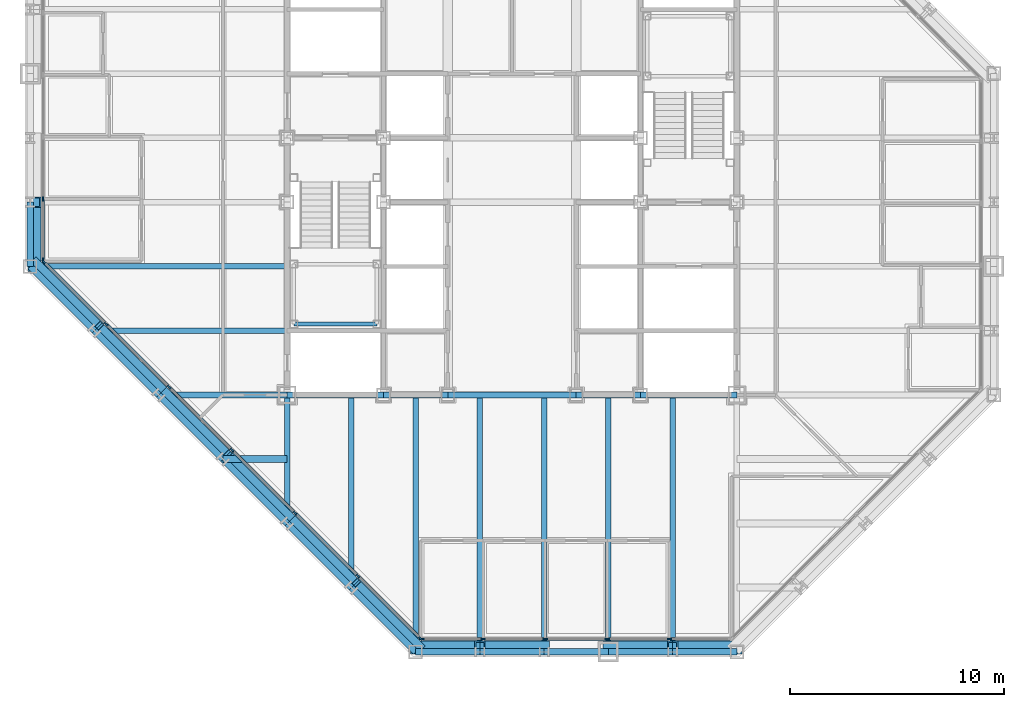
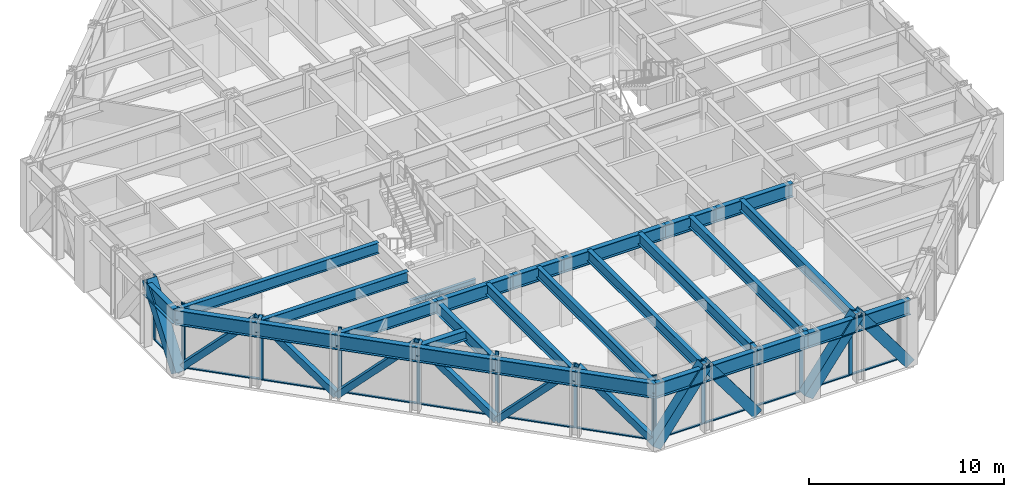
# One storey, part 4 of 15: 37 members, 29 beams, 3 elements without a shape of their own.
"""IFC4 building model written with IfcOpenShell, lengths in metres."""

from ifc_helpers import new_model, si_unit, direction, frame, origin, origin_2d, place, context, subcontext, project, spatial, rectangle, hollow_rectangle, i_section, extrude, material, layer, layer_set, material_profile, profile_set, type_object, element, aggregate, save


model = new_model("IFC4")

# Units and contexts
model_context = context("Model", 3, precision=1e-05, world=origin(), true_north=direction((0.0, 1.0)))
body_context = subcontext(model_context, "Body", "Model", "MODEL_VIEW")
ifc_project = project(units=[si_unit("LENGTHUNIT", "METRE"), si_unit("AREAUNIT", "SQUARE_METRE"), si_unit("VOLUMEUNIT", "CUBIC_METRE"), si_unit("PLANEANGLEUNIT", "RADIAN"), si_unit("MASSUNIT", "GRAM", prefix="KILO")], contexts=[model_context])

# Site, building, storey
site_placement = place(None, origin())
site = spatial("IfcSite", under=ifc_project, at=site_placement, CompositionType="ELEMENT")
building_placement = place(site_placement, origin())
building = spatial("IfcBuilding", under=site, at=building_placement, Name="Chuquiago Exchange Tower", CompositionType="ELEMENT")
storey_placement = place(building_placement, frame((0.0, 0.0, 188.699951171875)))
storey = spatial("IfcBuildingStorey", under=building, at=storey_placement, Name="L41", CompositionType="ELEMENT", Elevation=188.699951171875)

# Beams
ifc_material_1 = material(Name="Steel ASTM A992", Category="steel")
ifc_material_profile_1 = material_profile(ifc_material_1, i_section(OverallWidth=0.25390625, OverallDepth=0.683349609375, WebThickness=0.012451171875, FlangeThickness=0.018798828125, at=origin_2d()), Name="W27X94")
ifc_profile_set_1 = profile_set([ifc_material_profile_1], Name="Steel ASTM A992")
beam_type_1 = type_object("IfcBeamType", Name="B1 W27X94", PredefinedType="BEAM", material=ifc_profile_set_1)
beam_1_placement = place(storey_placement, frame((15.0, 12.0, 3.698486328125), z_axis=(0.0, -1.0, 0.0), x_axis=(1.0, 0.0, 0.0)))
element("IfcBeam", 1, at=beam_1_placement, inside=storey, type_object=beam_type_1, Name="FB-L42-infill-15_12-15_3-0", PredefinedType="BEAM", context=body_context, shape_type="SweptSolid", body=[
    extrude(i_section(OverallWidth=0.25390625, OverallDepth=0.683349609375, WebThickness=0.012451171875, FlangeThickness=0.018798828125, at=origin_2d()), origin(), (0.0, 0.0, 1.0), 9.0),
])
for number, where, z_axis, x_axis, name in (
    (2, (18.0, 12.0, 3.698486328125), (0.0, -1.0, 0.0), (1.0, 0.0, 0.0), "FB-L42-infill-18_12-18_-0-0"),
    (3, (21.0, 12.0, 3.698486328125), (0.0, -1.0, 0.0), (1.0, 0.0, 0.0), "FB-L42-infill-21_12-21_-0-0"),
    (4, (24.0, 12.0, 3.698486328125), (0.0, -1.0, 0.0), (1.0, 0.0, 0.0), "FB-L42-infill-24_12-24_-0-0"),
    (5, (27.0, 12.0, 3.698486328125), (0.0, -1.0, 0.0), (1.0, 0.0, 0.0), "FB-L42-infill-27_12-27_-0-0"),
    (6, (30.0, 12.0, 3.698486328125), (0.0, -1.0, 0.0), (1.0, 0.0, 0.0), "FB-L42-infill-30_12-30_-0-0"),
):
    element("IfcBeam", number, at=place(storey_placement, frame(where, z_axis=z_axis, x_axis=x_axis)), inside=storey, type_object=beam_type_1, Name=name, PredefinedType="BEAM", context=body_context, shape_type="SweptSolid", body=[
        extrude(i_section(OverallWidth=0.25390625, OverallDepth=0.683349609375, WebThickness=0.012451171875, FlangeThickness=0.018798828125, at=origin_2d()), origin(), (0.0, 0.0, 1.0), 12.0),
    ])
beam_2_placement = place(storey_placement, frame((12.0, 15.0, 3.698486328125), z_axis=(-1.0, 0.0, 0.0), x_axis=(0.0, -1.0, 0.0)))
element("IfcBeam", 7, at=beam_2_placement, inside=storey, type_object=beam_type_1, Name="FB-L42-infill-12_15-3_15-0", PredefinedType="BEAM", context=body_context, shape_type="SweptSolid", body=[
    extrude(i_section(OverallWidth=0.25390625, OverallDepth=0.683349609375, WebThickness=0.012451171875, FlangeThickness=0.018798828125, at=origin_2d()), origin(), (0.0, 0.0, 1.0), 9.0),
])
beam_3_placement = place(storey_placement, frame((12.0, 18.0, 3.698486328125), z_axis=(-1.0, 0.0, 0.0), x_axis=(0.0, -1.0, 0.0)))
element("IfcBeam", 8, at=beam_3_placement, inside=storey, type_object=beam_type_1, Name="FB-L42-infill-12_18--0_18-0", PredefinedType="BEAM", context=body_context, shape_type="SweptSolid", body=[
    extrude(i_section(OverallWidth=0.25390625, OverallDepth=0.683349609375, WebThickness=0.012451171875, FlangeThickness=0.018798828125, at=origin_2d()), origin(), (0.0, 0.0, 1.0), 12.0),
])
ifc_material_2 = material(Name="Steel ASTM A992", Category="steel")
ifc_material_profile_2 = material_profile(ifc_material_2, i_section(OverallWidth=0.3251953125, OverallDepth=0.612060546875, WebThickness=0.0126953125, FlangeThickness=0.01904296875, at=origin_2d()), Name="W24X104")
ifc_profile_set_2 = profile_set([ifc_material_profile_2], Name="Steel ASTM A992")
beam_type_2 = type_object("IfcBeamType", Name="B2 W24X104", PredefinedType="BEAM", material=ifc_profile_set_2)
beam_4_placement = place(storey_placement, frame((12.0, 9.0, 3.73388671875), z_axis=(-1.0, 0.0, 0.0), x_axis=(0.0, -1.0, 0.0)))
element("IfcBeam", 9, at=beam_4_placement, inside=storey, type_object=beam_type_2, Name="FB-L42-corner-12_9-9_9-0", PredefinedType="BEAM", context=body_context, shape_type="SweptSolid", body=[
    extrude(i_section(OverallWidth=0.3251953125, OverallDepth=0.612060546875, WebThickness=0.0126953125, FlangeThickness=0.01904296875, at=origin_2d()), origin(), (0.0, 0.0, 1.0), 3.0),
])
ifc_material_3 = material(Name="Steel ASTM A992", Category="steel")
ifc_material_profile_3 = material_profile(ifc_material_3, i_section(OverallWidth=0.2919921875, OverallDepth=0.8583984375, WebThickness=0.01708984375, FlangeThickness=0.031005859375, at=origin_2d()), Name="W33X169")
ifc_profile_set_3 = profile_set([ifc_material_profile_3], Name="Steel ASTM A992")
beam_type_3 = type_object("IfcBeamType", Name="B3 W33X169", PredefinedType="BEAM", material=ifc_profile_set_3)
beam_5_placement = place(storey_placement, frame((12.0, 12.0, 3.61083984375), z_axis=(1.0, 0.0, 0.0), x_axis=(0.0, 1.0, 0.0)))
element("IfcBeam", 10, at=beam_5_placement, inside=storey, type_object=beam_type_3, Name="CB-L42-12_12-16.5_12", PredefinedType="BEAM", context=body_context, shape_type="SweptSolid", body=[
    extrude(i_section(OverallWidth=0.2919921875, OverallDepth=0.8583984375, WebThickness=0.01708984375, FlangeThickness=0.031005859375, at=origin_2d()), origin(), (0.0, 0.0, 1.0), 4.5),
])
beam_6_placement = place(storey_placement, frame((16.5, 12.0, 3.61083984375), z_axis=(1.0, 0.0, 0.0), x_axis=(0.0, 1.0, 0.0)))
element("IfcBeam", 11, at=beam_6_placement, inside=storey, type_object=beam_type_3, Name="CB-L42-16.5_12-19.5_12", PredefinedType="BEAM", context=body_context, shape_type="SweptSolid", body=[
    extrude(i_section(OverallWidth=0.2919921875, OverallDepth=0.8583984375, WebThickness=0.01708984375, FlangeThickness=0.031005859375, at=origin_2d()), origin(), (0.0, 0.0, 1.0), 3.0),
])
beam_7_placement = place(storey_placement, frame((19.5, 12.0, 3.61083984375), z_axis=(1.0, 0.0, 0.0), x_axis=(0.0, 1.0, 0.0)))
element("IfcBeam", 12, at=beam_7_placement, inside=storey, type_object=beam_type_3, Name="CB-L42-19.5_12-25.5_12", PredefinedType="BEAM", context=body_context, shape_type="SweptSolid", body=[
    extrude(i_section(OverallWidth=0.2919921875, OverallDepth=0.8583984375, WebThickness=0.01708984375, FlangeThickness=0.031005859375, at=origin_2d()), origin(), (0.0, 0.0, 1.0), 6.0),
])
beam_8_placement = place(storey_placement, frame((25.5, 12.0, 3.61083984375), z_axis=(1.0, 0.0, 0.0), x_axis=(0.0, 1.0, 0.0)))
element("IfcBeam", 13, at=beam_8_placement, inside=storey, type_object=beam_type_3, Name="CB-L42-25.5_12-28.5_12", PredefinedType="BEAM", context=body_context, shape_type="SweptSolid", body=[
    extrude(i_section(OverallWidth=0.2919921875, OverallDepth=0.8583984375, WebThickness=0.01708984375, FlangeThickness=0.031005859375, at=origin_2d()), origin(), (0.0, 0.0, 1.0), 3.0),
])
beam_9_placement = place(storey_placement, frame((28.5, 12.0, 3.61083984375), z_axis=(1.0, 0.0, 0.0), x_axis=(0.0, 1.0, 0.0)))
element("IfcBeam", 14, at=beam_9_placement, inside=storey, type_object=beam_type_3, Name="CB-L42-28.5_12-33_12", PredefinedType="BEAM", context=body_context, shape_type="SweptSolid", body=[
    extrude(i_section(OverallWidth=0.2919921875, OverallDepth=0.8583984375, WebThickness=0.01708984375, FlangeThickness=0.031005859375, at=origin_2d()), origin(), (0.0, 0.0, 1.0), 4.5),
])

# Curtain wall, members
ifc_material_4 = material(Name="Aluminium curtain wall system", Category="aluminium")
ifc_layer_1 = layer(ifc_material_4, 0.22509765625)
ifc_layer_set_1 = layer_set([ifc_layer_1], Name="CW2 office curtain wall")
curtain_wall_type_1 = type_object("IfcCurtainWallType", Name="CW2 office curtain wall", PredefinedType="NOTDEFINED", material=ifc_layer_set_1)
curtain_wall_1_placement = place(storey_placement, origin())
curtain_wall_1 = element("IfcCurtainWall", 15, at=curtain_wall_1_placement, inside=storey, type_object=curtain_wall_type_1, Name="CW2 curtain wall L41", PredefinedType="NOTDEFINED")
ifc_material_5 = material(Name="Aluminium mullion, pale anodised", Category="aluminium")
ifc_material_profile_4 = material_profile(ifc_material_5, rectangle(XDim=0.06494140625, YDim=0.22509765625, at=origin_2d()), Name="AL 65x225")
ifc_profile_set_4 = profile_set([ifc_material_profile_4], Name="Aluminium mullion, pale anodised")
member_type_1 = type_object("IfcMemberType", Name="CW2-M mullion 65x225", PredefinedType="MULLION", material=ifc_profile_set_4)
member_1_placement = place(storey_placement, frame((18.281005859375, 0.60009765625, 0.0), z_axis=(0.0, 0.0, 1.0), x_axis=(0.0, 1.0, 0.0)))
member_1 = element("IfcMember", 16, at=member_1_placement, type_object=member_type_1, Name="CW2 mullion 1", PredefinedType="MULLION", context=body_context, shape_type="SweptSolid", body=[
    extrude(rectangle(XDim=0.06494140625, YDim=0.22509765625, at=origin_2d()), origin(), (0.0, 0.0, 1.0), 4.0400390625),
])
member_2_placement = place(storey_placement, frame((21.149169921875, 0.60009765625, 0.0), z_axis=(0.0, 0.0, 1.0), x_axis=(0.0, 1.0, 0.0)))
member_2 = element("IfcMember", 17, at=member_2_placement, type_object=member_type_1, Name="CW2 mullion 2", PredefinedType="MULLION", context=body_context, shape_type="SweptSolid", body=[
    extrude(rectangle(XDim=0.06494140625, YDim=0.22509765625, at=origin_2d()), origin(), (0.0, 0.0, 1.0), 4.0400390625),
])
member_3_placement = place(storey_placement, frame((24.0498046875, 0.60009765625, 0.0), z_axis=(0.0, 0.0, 1.0), x_axis=(0.0, 1.0, 0.0)))
member_3 = element("IfcMember", 18, at=member_3_placement, type_object=member_type_1, Name="CW2 mullion 3", PredefinedType="MULLION", context=body_context, shape_type="SweptSolid", body=[
    extrude(rectangle(XDim=0.06494140625, YDim=0.22509765625, at=origin_2d()), origin(), (0.0, 0.0, 1.0), 4.0400390625),
])
member_4_placement = place(storey_placement, frame((26.9501953125, 0.60009765625, 0.0), z_axis=(0.0, 0.0, 1.0), x_axis=(0.0, 1.0, 0.0)))
member_4 = element("IfcMember", 19, at=member_4_placement, type_object=member_type_1, Name="CW2 mullion 4", PredefinedType="MULLION", context=body_context, shape_type="SweptSolid", body=[
    extrude(rectangle(XDim=0.06494140625, YDim=0.22509765625, at=origin_2d()), origin(), (0.0, 0.0, 1.0), 4.0400390625),
])
member_5_placement = place(storey_placement, frame((29.850830078125, 0.60009765625, 0.0), z_axis=(0.0, 0.0, 1.0), x_axis=(0.0, 1.0, 0.0)))
member_5 = element("IfcMember", 20, at=member_5_placement, type_object=member_type_1, Name="CW2 mullion 5", PredefinedType="MULLION", context=body_context, shape_type="SweptSolid", body=[
    extrude(rectangle(XDim=0.06494140625, YDim=0.22509765625, at=origin_2d()), origin(), (0.0, 0.0, 1.0), 4.0400390625),
])

curtain_wall_2_placement = place(storey_placement, origin())
curtain_wall_2 = element("IfcCurtainWall", 21, at=curtain_wall_2_placement, inside=storey, type_object=curtain_wall_type_1, Name="CW2 curtain wall L41", PredefinedType="NOTDEFINED")
member_6_placement = place(storey_placement, frame((0.60009765625, 21.149169921875, 0.0), z_axis=(0.0, 0.0, 1.0), x_axis=(1.0, 0.0, 0.0)))
member_6 = element("IfcMember", 22, at=member_6_placement, type_object=member_type_1, Name="CW2 mullion 5", PredefinedType="MULLION", context=body_context, shape_type="SweptSolid", body=[
    extrude(rectangle(XDim=0.06494140625, YDim=0.22509765625, at=origin_2d()), origin(), (0.0, 0.0, 1.0), 4.0400390625),
])
member_7_placement = place(storey_placement, frame((0.60009765625, 18.281005859375, 0.0), z_axis=(0.0, 0.0, 1.0), x_axis=(1.0, 0.0, 0.0)))
member_7 = element("IfcMember", 23, at=member_7_placement, type_object=member_type_1, Name="CW2 mullion 6", PredefinedType="MULLION", context=body_context, shape_type="SweptSolid", body=[
    extrude(rectangle(XDim=0.06494140625, YDim=0.22509765625, at=origin_2d()), origin(), (0.0, 0.0, 1.0), 4.0400390625),
])

# Member
ifc_material_6 = material(Name="Aluminium transom, pale anodised", Category="aluminium")
ifc_material_profile_5 = material_profile(ifc_material_6, rectangle(XDim=0.139892578125, YDim=0.06494140625, at=origin_2d()), Name="AL 140x65")
ifc_profile_set_5 = profile_set([ifc_material_profile_5], Name="Aluminium transom, pale anodised")
member_type_2 = type_object("IfcMemberType", Name="CW2-T transom 65x140", PredefinedType="MULLION", material=ifc_profile_set_5)
member_8_placement = place(storey_placement, frame((18.3134765625, 0.60009765625, 0.032470703125), z_axis=(1.0, 0.0, 0.0), x_axis=(0.0, 1.0, 0.0)))
member_8 = element("IfcMember", 24, at=member_8_placement, type_object=member_type_2, Name="CW2 transom 1.1", PredefinedType="MULLION", context=body_context, shape_type="SweptSolid", body=[
    extrude(rectangle(XDim=0.139892578125, YDim=0.06494140625, at=origin_2d()), origin(), (0.0, 0.0, 1.0), 2.80322265625),
])

member_9_placement = place(storey_placement, frame((21.181640625, 0.60009765625, 0.032470703125), z_axis=(1.0, 0.0, 0.0), x_axis=(0.0, 1.0, 0.0)))
member_9 = element("IfcMember", 25, at=member_9_placement, type_object=member_type_2, Name="CW2 transom 2.1", PredefinedType="MULLION", context=body_context, shape_type="SweptSolid", body=[
    extrude(rectangle(XDim=0.139892578125, YDim=0.06494140625, at=origin_2d()), origin(), (0.0, 0.0, 1.0), 2.83544921875),
])

member_10_placement = place(storey_placement, frame((24.082275390625, 0.60009765625, 0.032470703125), z_axis=(1.0, 0.0, 0.0), x_axis=(0.0, 1.0, 0.0)))
member_10 = element("IfcMember", 26, at=member_10_placement, type_object=member_type_2, Name="CW2 transom 3.1", PredefinedType="MULLION", context=body_context, shape_type="SweptSolid", body=[
    extrude(rectangle(XDim=0.139892578125, YDim=0.06494140625, at=origin_2d()), origin(), (0.0, 0.0, 1.0), 2.83544921875),
])

member_11_placement = place(storey_placement, frame((26.98291015625, 0.60009765625, 0.032470703125), z_axis=(1.0, 0.0, 0.0), x_axis=(0.0, 1.0, 0.0)))
member_11 = element("IfcMember", 27, at=member_11_placement, type_object=member_type_2, Name="CW2 transom 4.1", PredefinedType="MULLION", context=body_context, shape_type="SweptSolid", body=[
    extrude(rectangle(XDim=0.139892578125, YDim=0.06494140625, at=origin_2d()), origin(), (0.0, 0.0, 1.0), 2.83544921875),
])

member_12_placement = place(storey_placement, frame((29.88330078125, 0.60009765625, 0.032470703125), z_axis=(1.0, 0.0, 0.0), x_axis=(0.0, 1.0, 0.0)))
member_12 = element("IfcMember", 28, at=member_12_placement, type_object=member_type_2, Name="CW2 transom 5.1", PredefinedType="MULLION", context=body_context, shape_type="SweptSolid", body=[
    extrude(rectangle(XDim=0.139892578125, YDim=0.06494140625, at=origin_2d()), origin(), (0.0, 0.0, 1.0), 2.80322265625),
])

aggregate(curtain_wall_1, [member_1, member_2, member_3, member_4, member_5, member_8, member_9, member_10, member_11, member_12])

member_13_placement = place(storey_placement, frame((0.60009765625, 21.11669921875, 0.032470703125), z_axis=(0.0, -1.0, 0.0), x_axis=(1.0, 0.0, 0.0)))
member_13 = element("IfcMember", 29, at=member_13_placement, type_object=member_type_2, Name="CW2 transom 5.1", PredefinedType="MULLION", context=body_context, shape_type="SweptSolid", body=[
    extrude(rectangle(XDim=0.139892578125, YDim=0.06494140625, at=origin_2d()), origin(), (0.0, 0.0, 1.0), 2.80322265625),
])

aggregate(curtain_wall_2, [member_6, member_7, member_13])

# Curtain wall, members
ifc_material_7 = material(Name="Aluminium curtain wall system", Category="aluminium")
ifc_layer_2 = layer(ifc_material_7, 0.199951171875)
ifc_layer_set_2 = layer_set([ifc_layer_2], Name="CW3 facet curtain wall")
curtain_wall_type_2 = type_object("IfcCurtainWallType", Name="CW3 facet curtain wall", PredefinedType="NOTDEFINED", material=ifc_layer_set_2)
curtain_wall_3_placement = place(storey_placement, origin())
curtain_wall_3 = element("IfcCurtainWall", 30, at=curtain_wall_3_placement, inside=storey, type_object=curtain_wall_type_2, Name="CW3 curtain wall L41", PredefinedType="NOTDEFINED")
ifc_material_8 = material(Name="Aluminium mullion, pale anodised", Category="aluminium")
ifc_material_profile_6 = material_profile(ifc_material_8, rectangle(XDim=0.06494140625, YDim=0.199951171875, at=origin_2d()), Name="AL 65x200")
ifc_profile_set_6 = profile_set([ifc_material_profile_6], Name="Aluminium mullion, pale anodised")
member_type_3 = type_object("IfcMemberType", Name="CW3-M mullion 65x200", PredefinedType="MULLION", material=ifc_profile_set_6)
member_14_placement = place(storey_placement, frame((0.623046875, 18.2255859375, 0.0), z_axis=(0.0, 0.0, 1.0), x_axis=(0.707106781187, 0.707106781187, 0.0)))
member_14 = element("IfcMember", 31, at=member_14_placement, type_object=member_type_3, Name="CW3 mullion 1", PredefinedType="MULLION", context=body_context, shape_type="SweptSolid", body=[
    extrude(rectangle(XDim=0.06494140625, YDim=0.199951171875, at=origin_2d()), origin(), (0.0, 0.0, 1.0), 4.0400390625),
])
member_15_placement = place(storey_placement, frame((3.54150390625, 15.30712890625, 0.0), z_axis=(0.0, 0.0, 1.0), x_axis=(0.707106781187, 0.707106781187, 0.0)))
member_15 = element("IfcMember", 32, at=member_15_placement, type_object=member_type_3, Name="CW3 mullion 2", PredefinedType="MULLION", context=body_context, shape_type="SweptSolid", body=[
    extrude(rectangle(XDim=0.06494140625, YDim=0.199951171875, at=origin_2d()), origin(), (0.0, 0.0, 1.0), 4.0400390625),
])
member_16_placement = place(storey_placement, frame((6.48291015625, 12.36572265625, 0.0), z_axis=(0.0, 0.0, 1.0), x_axis=(0.707106781187, 0.707106781187, 0.0)))
member_16 = element("IfcMember", 33, at=member_16_placement, type_object=member_type_3, Name="CW3 mullion 3", PredefinedType="MULLION", context=body_context, shape_type="SweptSolid", body=[
    extrude(rectangle(XDim=0.06494140625, YDim=0.199951171875, at=origin_2d()), origin(), (0.0, 0.0, 1.0), 4.0400390625),
])
member_17_placement = place(storey_placement, frame((9.42431640625, 9.42431640625, 0.0), z_axis=(0.0, 0.0, 1.0), x_axis=(0.707106781187, 0.707106781187, 0.0)))
member_17 = element("IfcMember", 34, at=member_17_placement, type_object=member_type_3, Name="CW3 mullion 4", PredefinedType="MULLION", context=body_context, shape_type="SweptSolid", body=[
    extrude(rectangle(XDim=0.06494140625, YDim=0.199951171875, at=origin_2d()), origin(), (0.0, 0.0, 1.0), 4.0400390625),
])
member_18_placement = place(storey_placement, frame((12.36572265625, 6.48291015625, 0.0), z_axis=(0.0, 0.0, 1.0), x_axis=(0.707106781187, 0.707106781187, 0.0)))
member_18 = element("IfcMember", 35, at=member_18_placement, type_object=member_type_3, Name="CW3 mullion 5", PredefinedType="MULLION", context=body_context, shape_type="SweptSolid", body=[
    extrude(rectangle(XDim=0.06494140625, YDim=0.199951171875, at=origin_2d()), origin(), (0.0, 0.0, 1.0), 4.0400390625),
])
member_19_placement = place(storey_placement, frame((15.30712890625, 3.54150390625, 0.0), z_axis=(0.0, 0.0, 1.0), x_axis=(0.707106781187, 0.707106781187, 0.0)))
member_19 = element("IfcMember", 36, at=member_19_placement, type_object=member_type_3, Name="CW3 mullion 6", PredefinedType="MULLION", context=body_context, shape_type="SweptSolid", body=[
    extrude(rectangle(XDim=0.06494140625, YDim=0.199951171875, at=origin_2d()), origin(), (0.0, 0.0, 1.0), 4.0400390625),
])
member_20_placement = place(storey_placement, frame((18.2255859375, 0.623046875, 0.0), z_axis=(0.0, 0.0, 1.0), x_axis=(0.707106781187, 0.707106781187, 0.0)))
member_20 = element("IfcMember", 37, at=member_20_placement, type_object=member_type_3, Name="CW3 mullion 7", PredefinedType="MULLION", context=body_context, shape_type="SweptSolid", body=[
    extrude(rectangle(XDim=0.06494140625, YDim=0.199951171875, at=origin_2d()), origin(), (0.0, 0.0, 1.0), 4.0400390625),
])
ifc_material_9 = material(Name="Aluminium transom, pale anodised", Category="aluminium")
ifc_material_profile_7 = material_profile(ifc_material_9, rectangle(XDim=0.139892578125, YDim=0.06494140625, at=origin_2d()), Name="AL 140x65")
ifc_profile_set_7 = profile_set([ifc_material_profile_7], Name="Aluminium transom, pale anodised")
member_type_4 = type_object("IfcMemberType", Name="CW3-T transom 65x140", PredefinedType="MULLION", material=ifc_profile_set_7)
member_21_placement = place(storey_placement, frame((0.64599609375, 18.20263671875, 0.032470703125), z_axis=(0.707106781187, -0.707106781187, 0.0), x_axis=(0.707106781187, 0.707106781187, 0.0)))
member_21 = element("IfcMember", 38, at=member_21_placement, type_object=member_type_4, Name="CW3 transom 1.1", PredefinedType="MULLION", context=body_context, shape_type="SweptSolid", body=[
    extrude(rectangle(XDim=0.139892578125, YDim=0.06494140625, at=origin_2d()), origin(), (0.0, 0.0, 1.0), 4.0625),
])
member_22_placement = place(storey_placement, frame((3.564453125, 15.2841796875, 0.032470703125), z_axis=(0.707106781187, -0.707106781187, 0.0), x_axis=(0.707106781187, 0.707106781187, 0.0)))
member_22 = element("IfcMember", 39, at=member_22_placement, type_object=member_type_4, Name="CW3 transom 2.1", PredefinedType="MULLION", context=body_context, shape_type="SweptSolid", body=[
    extrude(rectangle(XDim=0.139892578125, YDim=0.06494140625, at=origin_2d()), origin(), (0.0, 0.0, 1.0), 4.094970703125),
])
member_23_placement = place(storey_placement, frame((6.505859375, 12.3427734375, 0.032470703125), z_axis=(0.707106781187, -0.707106781187, 0.0), x_axis=(0.707106781187, 0.707106781187, 0.0)))
member_23 = element("IfcMember", 40, at=member_23_placement, type_object=member_type_4, Name="CW3 transom 3.1", PredefinedType="MULLION", context=body_context, shape_type="SweptSolid", body=[
    extrude(rectangle(XDim=0.139892578125, YDim=0.06494140625, at=origin_2d()), origin(), (0.0, 0.0, 1.0), 4.094970703125),
])
member_24_placement = place(storey_placement, frame((9.447265625, 9.4013671875, 0.032470703125), z_axis=(0.707106781187, -0.707106781187, 0.0), x_axis=(0.707106781187, 0.707106781187, 0.0)))
member_24 = element("IfcMember", 41, at=member_24_placement, type_object=member_type_4, Name="CW3 transom 4.1", PredefinedType="MULLION", context=body_context, shape_type="SweptSolid", body=[
    extrude(rectangle(XDim=0.139892578125, YDim=0.06494140625, at=origin_2d()), origin(), (0.0, 0.0, 1.0), 4.094970703125),
])
member_25_placement = place(storey_placement, frame((12.388671875, 6.4599609375, 0.032470703125), z_axis=(0.707106781187, -0.707106781187, 0.0), x_axis=(0.707106781187, 0.707106781187, 0.0)))
member_25 = element("IfcMember", 42, at=member_25_placement, type_object=member_type_4, Name="CW3 transom 5.1", PredefinedType="MULLION", context=body_context, shape_type="SweptSolid", body=[
    extrude(rectangle(XDim=0.139892578125, YDim=0.06494140625, at=origin_2d()), origin(), (0.0, 0.0, 1.0), 4.094970703125),
])
member_26_placement = place(storey_placement, frame((15.330078125, 3.5185546875, 0.032470703125), z_axis=(0.707106781187, -0.707106781187, 0.0), x_axis=(0.707106781187, 0.707106781187, 0.0)))
member_26 = element("IfcMember", 43, at=member_26_placement, type_object=member_type_4, Name="CW3 transom 6.1", PredefinedType="MULLION", context=body_context, shape_type="SweptSolid", body=[
    extrude(rectangle(XDim=0.139892578125, YDim=0.06494140625, at=origin_2d()), origin(), (0.0, 0.0, 1.0), 4.0625),
])
aggregate(curtain_wall_3, [member_14, member_15, member_16, member_17, member_18, member_19, member_20, member_21, member_22, member_23, member_24, member_25, member_26])

# Beams
ifc_material_10 = material(Name="Steel ASTM A992", Category="steel")
ifc_material_profile_8 = material_profile(ifc_material_10, i_section(OverallWidth=0.2666015625, OverallDepth=0.76953125, WebThickness=0.015625, FlangeThickness=0.025390625, at=origin_2d()), Name="W30X132")
ifc_profile_set_8 = profile_set([ifc_material_profile_8], Name="Steel ASTM A992")
beam_type_4 = type_object("IfcBeamType", Name="G1 W30X132", PredefinedType="BEAM", material=ifc_profile_set_8)
for number, where, z_axis, x_axis, name in (
    (44, (12.0, 12.0, 3.6552734375), (0.0, -1.0, 0.0), (1.0, 0.0, 0.0), "FB-L42-girder-12_12-12_6-0"),
    (45, (12.0, 12.0, 3.6552734375), (-1.0, 0.0, 0.0), (0.0, -1.0, 0.0), "FB-L42-girder-12_12-6_12-0"),
):
    element("IfcBeam", number, at=place(storey_placement, frame(where, z_axis=z_axis, x_axis=x_axis)), inside=storey, type_object=beam_type_4, Name=name, PredefinedType="BEAM", context=body_context, shape_type="SweptSolid", body=[
        extrude(i_section(OverallWidth=0.2666015625, OverallDepth=0.76953125, WebThickness=0.015625, FlangeThickness=0.025390625, at=origin_2d()), origin(), (0.0, 0.0, 1.0), 6.0),
    ])

# Members
ifc_material_11 = material(Name="Steel ASTM A500 Grade C", Category="steel")
ifc_material_profile_9 = material_profile(ifc_material_11, hollow_rectangle(XDim=0.355712890625, YDim=0.355712890625, WallThickness=0.0146484375, at=origin_2d()), Name="HSS14X14X5/8")
ifc_profile_set_9 = profile_set([ifc_material_profile_9], Name="Steel ASTM A500 Grade C")
member_type_5 = type_object("IfcMemberType", Name="LB2 HSS14X14X5/8", PredefinedType="BRACE", material=ifc_profile_set_9)
for number, where, z_axis, x_axis, name in (
    (46, (0.2314453125, 18.2314453125, 0.0), (0.512077265487, -0.512077265487, 0.689604051861), (0.707106781187, 0.707106781187, 0.0), "LB-L41-0_18-3_15"),
    (47, (6.2314453125, 12.2314453125, 0.0), (-0.512077265487, 0.512077265487, 0.689604051861), (-0.707106781187, -0.707106781187, 0.0), "LB-L41-3_15-6_12"),
    (48, (6.2314453125, 12.2314453125, 0.0), (0.512077265487, -0.512077265487, 0.689604051861), (0.707106781187, 0.707106781187, 0.0), "LB-L41-6_12-9_9"),
    (49, (12.2314453125, 6.2314453125, 0.0), (-0.512077265487, 0.512077265487, 0.689604051861), (-0.707106781187, -0.707106781187, 0.0), "LB-L41-9_9-12_6"),
    (50, (12.2314453125, 6.2314453125, 0.0), (0.512077265487, -0.512077265487, 0.689604051861), (0.707106781187, 0.707106781187, 0.0), "LB-L41-12_6-15_3"),
    (51, (18.2314453125, 0.2314453125, 0.0), (-0.512077265487, 0.512077265487, 0.689604051861), (-0.707106781187, -0.707106781187, 0.0), "LB-L41-15_3-18_0"),
):
    element("IfcMember", number, at=place(storey_placement, frame(where, z_axis=z_axis, x_axis=x_axis)), inside=storey, type_object=member_type_5, Name=name, PredefinedType="BRACE", context=body_context, shape_type="SweptSolid", body=[
        extrude(hollow_rectangle(XDim=0.355712890625, YDim=0.355712890625, WallThickness=0.0146484375, at=origin_2d()), origin(), (0.0, 0.0, 1.0), 5.8583984375),
    ])

# Beam
ifc_material_12 = material(Name="Steel ASTM A992", Category="steel")
ifc_material_profile_10 = material_profile(ifc_material_12, i_section(OverallWidth=0.164794921875, OverallDepth=0.309814453125, WebThickness=0.005859375, FlangeThickness=0.009765625, at=origin_2d()), Name="W12X26")
ifc_profile_set_10 = profile_set([ifc_material_profile_10], Name="Steel ASTM A992")
beam_type_5 = type_object("IfcBeamType", Name="LT1 W12X26", PredefinedType="BEAM", material=ifc_profile_set_10)
beam_10_placement = place(storey_placement, frame((12.31005859375, 15.31005859375, 1.7451171875), z_axis=(1.0, 0.0, 0.0), x_axis=(0.0, 1.0, 0.0)))
element("IfcBeam", 52, at=beam_10_placement, inside=storey, type_object=beam_type_5, Name="Stair ST1 L41 landing 1 trimmer", PredefinedType="BEAM", context=body_context, shape_type="SweptSolid", body=[
    extrude(i_section(OverallWidth=0.164794921875, OverallDepth=0.309814453125, WebThickness=0.005859375, FlangeThickness=0.009765625, at=origin_2d()), origin(), (0.0, 0.0, 1.0), 3.8798828125),
])

# Members
ifc_material_13 = material(Name="Steel ASTM A572 Grade 50", Category="steel")
ifc_material_profile_11 = material_profile(ifc_material_13, hollow_rectangle(XDim=0.60009765625, YDim=0.60009765625, WallThickness=0.06005859375, at=origin_2d()), Name="BOX600X600X60")
ifc_profile_set_11 = profile_set([ifc_material_profile_11], Name="Steel ASTM A572 Grade 50")
member_type_6 = type_object("IfcMemberType", Name="MB3 BOX600X600X60", PredefinedType="BRACE", material=ifc_profile_set_11)
for number, where, z_axis, x_axis, name in (
    (53, (18.0, 0.205078125, 0.0), (0.596173923302, 0.0, 0.802855312728), (0.0, 1.0, 0.0), "Mega diagonal L41 S face"),
    (54, (24.0, 0.205078125, 0.0), (-0.596173923302, 0.0, 0.802855312728), (0.0, -1.0, 0.0), "Mega diagonal L41 S face"),
    (55, (27.0, 0.205078125, 0.0), (0.596173923302, 0.0, 0.802855312728), (0.0, 1.0, 0.0), "Mega diagonal L41 S face"),
    (56, (33.0, 0.205078125, 0.0), (-0.596173923302, 0.0, 0.802855312728), (0.0, -1.0, 0.0), "Mega diagonal L41 S face"),
    (57, (0.205078125, 18.0, 0.0), (0.0, 0.596173923302, 0.802855312728), (-1.0, 0.0, 0.0), "Mega diagonal L41 W face"),
):
    element("IfcMember", number, at=place(storey_placement, frame(where, z_axis=z_axis, x_axis=x_axis)), inside=storey, type_object=member_type_6, Name=name, PredefinedType="BRACE", context=body_context, shape_type="SweptSolid", body=[
        extrude(hollow_rectangle(XDim=0.60009765625, YDim=0.60009765625, WallThickness=0.06005859375, at=origin_2d()), origin(), (0.0, 0.0, 1.0), 5.031982421875),
    ])

# Beams
ifc_material_14 = material(Name="Steel ASTM A992", Category="steel")
ifc_material_profile_12 = material_profile(ifc_material_14, i_section(OverallWidth=0.307373046875, OverallDepth=0.927001953125, WebThickness=0.01953125, FlangeThickness=0.031982421875, at=origin_2d()), Name="W36X194")
ifc_profile_set_12 = profile_set([ifc_material_profile_12], Name="Steel ASTM A992")
beam_type_6 = type_object("IfcBeamType", Name="SP3 W36X194", PredefinedType="SPANDREL", material=ifc_profile_set_12)
for number, where, z_axis, x_axis, name in (
    (58, (18.0, 0.0, 3.57666015625), (1.0, 0.0, 0.0), (0.0, 1.0, 0.0), "SPB-L42-18_0-21_0"),
    (59, (21.0, 0.0, 3.57666015625), (1.0, 0.0, 0.0), (0.0, 1.0, 0.0), "SPB-L42-21_0-24_0"),
    (60, (24.0, 0.0, 3.57666015625), (1.0, 0.0, 0.0), (0.0, 1.0, 0.0), "SPB-L42-24_0-27_0"),
    (61, (27.0, 0.0, 3.57666015625), (1.0, 0.0, 0.0), (0.0, 1.0, 0.0), "SPB-L42-27_0-30_0"),
    (62, (30.0, 0.0, 3.57666015625), (1.0, 0.0, 0.0), (0.0, 1.0, 0.0), "SPB-L42-30_0-33_0"),
    (63, (0.0, 21.0, 3.57666015625), (0.0, -1.0, 0.0), (1.0, 0.0, 0.0), "SPB-L42-0_21-0_18"),
):
    element("IfcBeam", number, at=place(storey_placement, frame(where, z_axis=z_axis, x_axis=x_axis)), inside=storey, type_object=beam_type_6, Name=name, PredefinedType="SPANDREL", context=body_context, shape_type="SweptSolid", body=[
        extrude(i_section(OverallWidth=0.307373046875, OverallDepth=0.927001953125, WebThickness=0.01953125, FlangeThickness=0.031982421875, at=origin_2d()), origin(), (0.0, 0.0, 1.0), 3.0),
    ])
for number, where, z_axis, x_axis, name in (
    (64, (0.0, 18.0, 3.57666015625), (0.707106781187, -0.707106781187, 0.0), (0.707106781187, 0.707106781187, 0.0), "SPB-L42-0_18-3_15"),
    (65, (3.0, 15.0, 3.57666015625), (0.707106781187, -0.707106781187, 0.0), (0.707106781187, 0.707106781187, 0.0), "SPB-L42-3_15-6_12"),
    (66, (6.0, 12.0, 3.57666015625), (0.707106781187, -0.707106781187, 0.0), (0.707106781187, 0.707106781187, 0.0), "SPB-L42-6_12-9_9"),
    (67, (9.0, 9.0, 3.57666015625), (0.707106781187, -0.707106781187, 0.0), (0.707106781187, 0.707106781187, 0.0), "SPB-L42-9_9-12_6"),
    (68, (12.0, 6.0, 3.57666015625), (0.707106781187, -0.707106781187, 0.0), (0.707106781187, 0.707106781187, 0.0), "SPB-L42-12_6-15_3"),
    (69, (15.0, 3.0, 3.57666015625), (0.707106781187, -0.707106781187, 0.0), (0.707106781187, 0.707106781187, 0.0), "SPB-L42-15_3-18_0"),
):
    element("IfcBeam", number, at=place(storey_placement, frame(where, z_axis=z_axis, x_axis=x_axis)), inside=storey, type_object=beam_type_6, Name=name, PredefinedType="SPANDREL", context=body_context, shape_type="SweptSolid", body=[
        extrude(i_section(OverallWidth=0.307373046875, OverallDepth=0.927001953125, WebThickness=0.01953125, FlangeThickness=0.031982421875, at=origin_2d()), origin(), (0.0, 0.0, 1.0), 4.24267578125),
    ])

save(model, "model.ifc")
